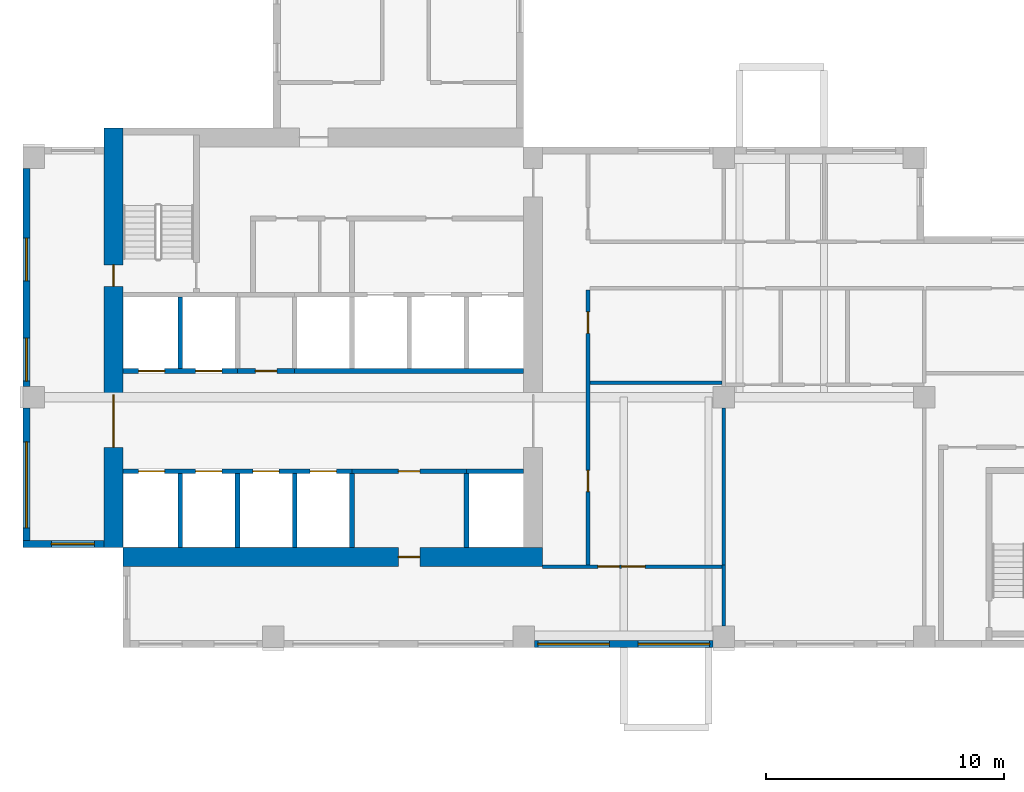
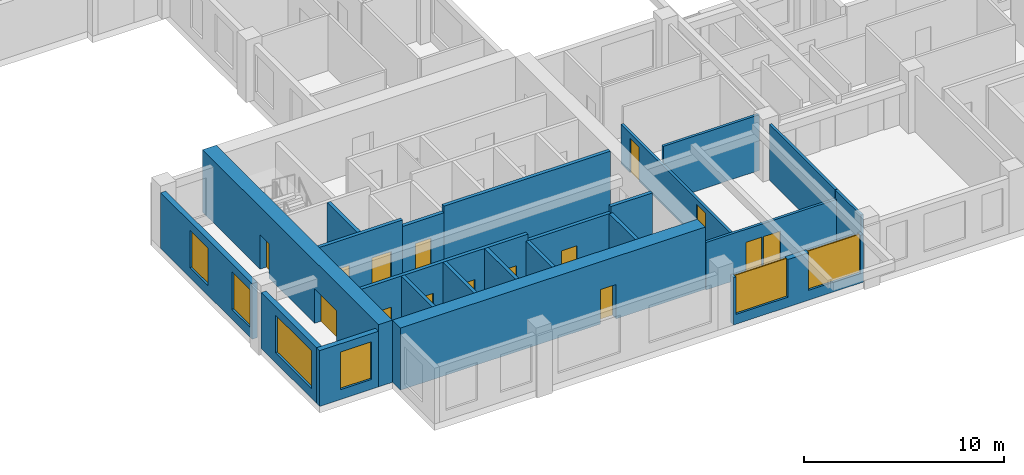
# One storey, part 2 of 12: 23 walls, 15 doors, 6 windows, 21 openings.
"""IFC4 building model written with IfcOpenShell, lengths in metres."""

from ifc_helpers import new_model, si_unit, direction, frame, frame_2d, origin, place, context, subcontext, project, spatial, rectangle, extrude, source, transform, mapped, material, layer, layer_set, type_object, element, fill, save


model = new_model("IFC4")

# Units and contexts
model_context = context("Model", 3, precision=1e-05, world=origin(), true_north=direction((0.0, 1.0)))
body_context = subcontext(model_context, "Body", "Model", "MODEL_VIEW")
ifc_project = project(units=[si_unit("LENGTHUNIT", "METRE"), si_unit("AREAUNIT", "SQUARE_METRE"), si_unit("VOLUMEUNIT", "CUBIC_METRE"), si_unit("PLANEANGLEUNIT", "RADIAN"), si_unit("MASSUNIT", "GRAM", prefix="KILO")], contexts=[model_context])

# Site, building, storey
site_placement = place(None, origin())
site = spatial("IfcSite", under=ifc_project, at=site_placement, CompositionType="ELEMENT")
building_placement = place(site_placement, origin())
building = spatial("IfcBuilding", under=site, at=building_placement, Name="Aurelian Terraces", CompositionType="ELEMENT")
storey_placement = place(building_placement, frame((0.0, 0.0, 189.2)))
storey = spatial("IfcBuildingStorey", under=building, at=storey_placement, Name="L41", CompositionType="ELEMENT", Elevation=189.2)

# Wall, openings, doors
ifc_material_1 = material(Name="Concrete fc' 70 MPa", Category="concrete")
ifc_layer_1 = layer(ifc_material_1, 0.8)
ifc_layer_set_1 = layer_set([ifc_layer_1], Name="CORE WALL 800 FC70")
wall_type_1 = type_object("IfcWallType", Name="CORE WALL 800 FC70", PredefinedType="SHEAR", material=ifc_layer_set_1)
shared_shape_1 = source(origin(), body_context, "Body", "SweptSolid", [
    extrude(rectangle(XDim=17.6, YDim=0.8, at=frame_2d((8.8, 0.0))), origin(), (0.0, 0.0, 1.0), 3.8),
])
wall_1_placement = place(storey_placement, frame((3.8, 4.2, 0.0), z_axis=(0.0, 0.0, 1.0), x_axis=(0.0, 1.0, 0.0)))
wall_1 = element("IfcWall", 1, at=wall_1_placement, inside=storey, type_object=wall_type_1, Name="Core wall W L41", PredefinedType="SHEAR", context=body_context, shape_type="MappedRepresentation", body=[
    mapped(shared_shape_1, transform((0.0, 0.0, 0.0), scale=1.0)),
])
shared_shape_2 = source(origin(), body_context, "Body", "SweptSolid", [
    extrude(rectangle(XDim=2.2, YDim=2.1, at=frame_2d((1.1, 1.05))), frame((0.0, 0.41, 0.0), z_axis=(0.0, -1.0, 0.0), x_axis=(1.0, 0.0, 0.0)), (0.0, 0.0, 1.0), 0.82),
])
opening_1_placement = place(wall_1_placement, frame((4.2, 0.0, 0.0)))
opening_1 = element("IfcOpeningElement", 2, at=opening_1_placement, cuts=wall_1, Name="Opening 64422", PredefinedType="OPENING", context=body_context, shape_type="MappedRepresentation", body=[
    mapped(shared_shape_2, transform((0.0, 0.0, 0.0), scale=1.0)),
])
shared_shape_3 = source(origin(), body_context, "Body", "SweptSolid", [
    extrude(rectangle(XDim=0.9, YDim=2.1, at=frame_2d((0.45, 1.05))), frame((0.0, 0.41, 0.0), z_axis=(0.0, -1.0, 0.0), x_axis=(1.0, 0.0, 0.0)), (0.0, 0.0, 1.0), 0.82),
])
opening_2_placement = place(wall_1_placement, frame((10.95, 0.0, 0.0)))
opening_2 = element("IfcOpeningElement", 3, at=opening_2_placement, cuts=wall_1, Name="Opening 64426", PredefinedType="OPENING", context=body_context, shape_type="MappedRepresentation", body=[
    mapped(shared_shape_3, transform((0.0, 0.0, 0.0), scale=1.0)),
])
ifc_material_2 = material(Name="Steel door leaf", Category="steel")
door_type_1 = type_object("IfcDoorType", Name="Core service door 900x2100 right", OperationType="SINGLE_SWING_RIGHT", PredefinedType="DOOR", material=ifc_material_2)
shared_shape_4 = source(origin(), body_context, "Body", "SweptSolid", [
    extrude(rectangle(XDim=0.9, YDim=2.1, at=frame_2d((0.45, 1.05))), frame((0.0, 0.025, 0.0), z_axis=(0.0, -1.0, 0.0), x_axis=(1.0, 0.0, 0.0)), (0.0, 0.0, 1.0), 0.05),
])
door_1_placement = place(opening_2_placement, origin())
door_1 = element("IfcDoor", 4, at=door_1_placement, inside=storey, type_object=door_type_1, Name="Core door 64426", OperationType="SINGLE_SWING_RIGHT", OverallHeight=2.1, OverallWidth=0.9, PredefinedType="DOOR", context=body_context, shape_type="MappedRepresentation", body=[
    mapped(shared_shape_4, transform((0.0, 0.0, 0.0), scale=1.0)),
])
fill(opening_2, door_1)
door_type_2 = type_object("IfcDoorType", Name="Core double door 2200x2100", OperationType="DOUBLE_DOOR_SINGLE_SWING", PredefinedType="DOOR", material=ifc_material_2)
shared_shape_5 = source(origin(), body_context, "Body", "SweptSolid", [
    extrude(rectangle(XDim=2.2, YDim=2.1, at=frame_2d((1.1, 1.05))), frame((0.0, 0.025, 0.0), z_axis=(0.0, -1.0, 0.0), x_axis=(1.0, 0.0, 0.0)), (0.0, 0.0, 1.0), 0.05),
])
door_2_placement = place(opening_1_placement, origin())
door_2 = element("IfcDoor", 5, at=door_2_placement, inside=storey, type_object=door_type_2, Name="Core door 64422", OperationType="DOUBLE_DOOR_SINGLE_SWING", OverallHeight=2.1, OverallWidth=2.2, PredefinedType="DOOR", context=body_context, shape_type="MappedRepresentation", body=[
    mapped(shared_shape_5, transform((0.0, 0.0, 0.0), scale=1.0)),
])
fill(opening_1, door_2)

# Wall, opening, door
wall_2_placement = place(storey_placement, frame((4.2, 3.8, 0.0), z_axis=(0.0, 0.0, 1.0), x_axis=(1.0, 0.0, 0.0)))
wall_2 = element("IfcWall", 6, at=wall_2_placement, inside=storey, type_object=wall_type_1, Name="Core wall S L41", PredefinedType="SHEAR", context=body_context, shape_type="MappedRepresentation", body=[
    mapped(shared_shape_1, transform((0.0, 0.0, 0.0), scale=1.0)),
])
opening_3_placement = place(wall_2_placement, frame((11.55, 0.0, 0.0)))
opening_3 = element("IfcOpeningElement", 7, at=opening_3_placement, cuts=wall_2, Name="Opening 64425", PredefinedType="OPENING", context=body_context, shape_type="MappedRepresentation", body=[
    mapped(shared_shape_3, transform((0.0, 0.0, 0.0), scale=1.0)),
])
door_type_3 = type_object("IfcDoorType", Name="Core service door 900x2100", OperationType="SINGLE_SWING_LEFT", PredefinedType="DOOR", material=ifc_material_2)
door_3_placement = place(opening_3_placement, origin())
door_3 = element("IfcDoor", 8, at=door_3_placement, inside=storey, type_object=door_type_3, Name="Core door 64425", OperationType="SINGLE_SWING_LEFT", OverallHeight=2.1, OverallWidth=0.9, PredefinedType="DOOR", context=body_context, shape_type="MappedRepresentation", body=[
    mapped(shared_shape_4, transform((0.0, 0.0, 0.0), scale=1.0)),
])
fill(opening_3, door_3)

# Wall, opening, window
ifc_material_3 = material(Name="Terracotta rainscreen cladding", Category="masonry")
ifc_layer_2 = layer(ifc_material_3, 0.3)
ifc_layer_set_2 = layer_set([ifc_layer_2], Name="EW-300")
wall_type_2 = type_object("IfcWallType", Name="EW-300", PredefinedType="STANDARD", material=ifc_layer_set_2)
shared_shape_6 = source(origin(), body_context, "Body", "SweptSolid", [
    extrude(rectangle(XDim=3.4, YDim=0.3, at=frame_2d((1.7, 0.0))), origin(), (0.0, 0.0, 1.0), 3.4),
])
wall_3_placement = place(storey_placement, frame((0.0, 4.35, 0.0), z_axis=(0.0, 0.0, 1.0), x_axis=(1.0, 0.0, 0.0)))
wall_3 = element("IfcWall", 9, at=wall_3_placement, inside=storey, type_object=wall_type_2, Name="External wall L41 F23.37", PredefinedType="STANDARD", context=body_context, shape_type="MappedRepresentation", body=[
    mapped(shared_shape_6, transform((0.0, 0.0, 0.0), scale=1.0)),
])
shared_shape_7 = source(origin(), body_context, "Body", "SweptSolid", [
    extrude(rectangle(XDim=1.8, YDim=2.3, at=frame_2d((0.9, 1.15))), frame((0.0, 0.16, 0.0), z_axis=(0.0, -1.0, 0.0), x_axis=(1.0, 0.0, 0.0)), (0.0, 0.0, 1.0), 0.32),
])
opening_4_placement = place(wall_3_placement, frame((1.2, 0.0, 0.6)))
opening_4 = element("IfcOpeningElement", 10, at=opening_4_placement, cuts=wall_3, Name="Opening W1823", PredefinedType="OPENING", context=body_context, shape_type="MappedRepresentation", body=[
    mapped(shared_shape_7, transform((0.0, 0.0, 0.0), scale=1.0)),
])
ifc_material_4 = material(Name="Clear glazing", Category="glass")
window_type_1 = type_object("IfcWindowType", Name="W-1800x2300", PartitioningType="SINGLE_PANEL", PredefinedType="WINDOW", material=ifc_material_4)
shared_shape_8 = source(origin(), body_context, "Body", "SweptSolid", [
    extrude(rectangle(XDim=1.8, YDim=2.3, at=frame_2d((0.9, 1.15))), frame((0.0, 0.03, 0.0), z_axis=(0.0, -1.0, 0.0), x_axis=(1.0, 0.0, 0.0)), (0.0, 0.0, 1.0), 0.06),
])
window_1_placement = place(opening_4_placement, origin())
window_1 = element("IfcWindow", 11, at=window_1_placement, inside=storey, type_object=window_type_1, Name="Window L41 L41-F23-37-0", OverallHeight=2.3, OverallWidth=1.8, PartitioningType="SINGLE_PANEL", PredefinedType="WINDOW", context=body_context, shape_type="MappedRepresentation", body=[
    mapped(shared_shape_8, transform((0.0, 0.0, 0.0), scale=1.0)),
])
fill(opening_4, window_1)

# Wall, openings, windows
shared_shape_9 = source(origin(), body_context, "Body", "SweptSolid", [
    extrude(rectangle(XDim=9.15, YDim=0.3, at=frame_2d((4.575, 0.0))), origin(), (0.0, 0.0, 1.0), 3.4),
])
wall_4_placement = place(storey_placement, frame((0.15, 20.1, 0.0), z_axis=(0.0, 0.0, 1.0), x_axis=(0.0, -1.0, 0.0)))
wall_4 = element("IfcWall", 12, at=wall_4_placement, inside=storey, type_object=wall_type_2, Name="External wall L41 F22.36", PredefinedType="STANDARD", context=body_context, shape_type="MappedRepresentation", body=[
    mapped(shared_shape_9, transform((0.0, 0.0, 0.0), scale=1.0)),
])
opening_5_placement = place(wall_4_placement, frame((2.925, 0.0, 0.6)))
opening_5 = element("IfcOpeningElement", 13, at=opening_5_placement, cuts=wall_4, Name="Opening W1823", PredefinedType="OPENING", context=body_context, shape_type="MappedRepresentation", body=[
    mapped(shared_shape_7, transform((0.0, 0.0, 0.0), scale=1.0)),
])
opening_6_placement = place(wall_4_placement, frame((7.125, 0.0, 0.6)))
opening_6 = element("IfcOpeningElement", 14, at=opening_6_placement, cuts=wall_4, Name="Opening W1823", PredefinedType="OPENING", context=body_context, shape_type="MappedRepresentation", body=[
    mapped(shared_shape_7, transform((0.0, 0.0, 0.0), scale=1.0)),
])
window_2_placement = place(opening_5_placement, origin())
window_2 = element("IfcWindow", 15, at=window_2_placement, inside=storey, type_object=window_type_1, Name="Window L41 L41-F22-36-1", OverallHeight=2.3, OverallWidth=1.8, PartitioningType="SINGLE_PANEL", PredefinedType="WINDOW", context=body_context, shape_type="MappedRepresentation", body=[
    mapped(shared_shape_8, transform((0.0, 0.0, 0.0), scale=1.0)),
])
fill(opening_5, window_2)
window_3_placement = place(opening_6_placement, origin())
window_3 = element("IfcWindow", 16, at=window_3_placement, inside=storey, type_object=window_type_1, Name="Window L41 L41-F22-36-2", OverallHeight=2.3, OverallWidth=1.8, PartitioningType="SINGLE_PANEL", PredefinedType="WINDOW", context=body_context, shape_type="MappedRepresentation", body=[
    mapped(shared_shape_8, transform((0.0, 0.0, 0.0), scale=1.0)),
])
fill(opening_6, window_3)

# Wall, opening, window
shared_shape_10 = source(origin(), body_context, "Body", "SweptSolid", [
    extrude(rectangle(XDim=5.85, YDim=0.3, at=frame_2d((2.925, 0.0))), origin(), (0.0, 0.0, 1.0), 3.4),
])
wall_5_placement = place(storey_placement, frame((0.15, 10.05, 0.0), z_axis=(0.0, 0.0, 1.0), x_axis=(0.0, -1.0, 0.0)))
wall_5 = element("IfcWall", 17, at=wall_5_placement, inside=storey, type_object=wall_type_2, Name="External wall L41 F22.36", PredefinedType="STANDARD", context=body_context, shape_type="MappedRepresentation", body=[
    mapped(shared_shape_10, transform((0.0, 0.0, 0.0), scale=1.0)),
])
shared_shape_11 = source(origin(), body_context, "Body", "SweptSolid", [
    extrude(rectangle(XDim=3.6, YDim=2.3, at=frame_2d((1.8, 1.15))), frame((0.0, 0.16, 0.0), z_axis=(0.0, -1.0, 0.0), x_axis=(1.0, 0.0, 0.0)), (0.0, 0.0, 1.0), 0.32),
])
opening_7_placement = place(wall_5_placement, frame((1.425, 0.0, 0.6)))
opening_7 = element("IfcOpeningElement", 18, at=opening_7_placement, cuts=wall_5, Name="Opening W3623", PredefinedType="OPENING", context=body_context, shape_type="MappedRepresentation", body=[
    mapped(shared_shape_11, transform((0.0, 0.0, 0.0), scale=1.0)),
])
window_type_2 = type_object("IfcWindowType", Name="W-3600x2300", PartitioningType="SINGLE_PANEL", PredefinedType="WINDOW", material=ifc_material_4)
shared_shape_12 = source(origin(), body_context, "Body", "SweptSolid", [
    extrude(rectangle(XDim=3.6, YDim=2.3, at=frame_2d((1.8, 1.15))), frame((0.0, 0.03, 0.0), z_axis=(0.0, -1.0, 0.0), x_axis=(1.0, 0.0, 0.0)), (0.0, 0.0, 1.0), 0.06),
])
window_4_placement = place(opening_7_placement, origin())
window_4 = element("IfcWindow", 19, at=window_4_placement, inside=storey, type_object=window_type_2, Name="Window L41 L41-F22-36-3", OverallHeight=2.3, OverallWidth=3.6, PartitioningType="SINGLE_PANEL", PredefinedType="WINDOW", context=body_context, shape_type="MappedRepresentation", body=[
    mapped(shared_shape_12, transform((0.0, 0.0, 0.0), scale=1.0)),
])
fill(opening_7, window_4)

# Wall, openings, windows
shared_shape_13 = source(origin(), body_context, "Body", "SweptSolid", [
    extrude(rectangle(XDim=7.5, YDim=0.3, at=frame_2d((3.75, 0.0))), origin(), (0.0, 0.0, 1.0), 2.9),
])
wall_6_placement = place(storey_placement, frame((21.45, 0.15, 0.0), z_axis=(0.0, 0.0, 1.0), x_axis=(1.0, 0.0, 0.0)))
wall_6 = element("IfcWall", 20, at=wall_6_placement, inside=storey, type_object=wall_type_2, Name="External wall L41 F01.3", PredefinedType="STANDARD", context=body_context, shape_type="MappedRepresentation", body=[
    mapped(shared_shape_13, transform((0.0, 0.0, 0.0), scale=1.0)),
])
shared_shape_14 = source(origin(), body_context, "Body", "SweptSolid", [
    extrude(rectangle(XDim=3.0, YDim=2.3, at=frame_2d((1.5, 1.15))), frame((0.0, 0.16, 0.0), z_axis=(0.0, -1.0, 0.0), x_axis=(1.0, 0.0, 0.0)), (0.0, 0.0, 1.0), 0.32),
])
opening_8_placement = place(wall_6_placement, frame((0.15, 0.0, 0.6)))
opening_8 = element("IfcOpeningElement", 21, at=opening_8_placement, cuts=wall_6, Name="Opening W3023", PredefinedType="OPENING", context=body_context, shape_type="MappedRepresentation", body=[
    mapped(shared_shape_14, transform((0.0, 0.0, 0.0), scale=1.0)),
])
opening_9_placement = place(wall_6_placement, frame((4.35, 0.0, 0.6)))
opening_9 = element("IfcOpeningElement", 22, at=opening_9_placement, cuts=wall_6, Name="Opening W3023", PredefinedType="OPENING", context=body_context, shape_type="MappedRepresentation", body=[
    mapped(shared_shape_14, transform((0.0, 0.0, 0.0), scale=1.0)),
])
window_type_3 = type_object("IfcWindowType", Name="W-3000x2300", PartitioningType="SINGLE_PANEL", PredefinedType="WINDOW", material=ifc_material_4)
shared_shape_15 = source(origin(), body_context, "Body", "SweptSolid", [
    extrude(rectangle(XDim=3.0, YDim=2.3, at=frame_2d((1.5, 1.15))), frame((0.0, 0.03, 0.0), z_axis=(0.0, -1.0, 0.0), x_axis=(1.0, 0.0, 0.0)), (0.0, 0.0, 1.0), 0.06),
])
window_5_placement = place(opening_8_placement, origin())
window_5 = element("IfcWindow", 23, at=window_5_placement, inside=storey, type_object=window_type_3, Name="Window L41 L41-F01-03-0", OverallHeight=2.3, OverallWidth=3.0, PartitioningType="SINGLE_PANEL", PredefinedType="WINDOW", context=body_context, shape_type="MappedRepresentation", body=[
    mapped(shared_shape_15, transform((0.0, 0.0, 0.0), scale=1.0)),
])
fill(opening_8, window_5)
window_6_placement = place(opening_9_placement, origin())
window_6 = element("IfcWindow", 24, at=window_6_placement, inside=storey, type_object=window_type_3, Name="Window L41 L41-F01-03-1", OverallHeight=2.3, OverallWidth=3.0, PartitioningType="SINGLE_PANEL", PredefinedType="WINDOW", context=body_context, shape_type="MappedRepresentation", body=[
    mapped(shared_shape_15, transform((0.0, 0.0, 0.0), scale=1.0)),
])
fill(opening_9, window_6)

# Walls
ifc_material_5 = material(Name="Concrete fc' 40 MPa", Category="concrete")
ifc_layer_3 = layer(ifc_material_5, 0.2)
ifc_layer_set_3 = layer_set([ifc_layer_3], Name="Lift shaft wall 200")
wall_type_3 = type_object("IfcWallType", Name="Lift shaft wall 200", PredefinedType="SOLIDWALL", material=ifc_layer_set_3)
shared_shape_16 = source(origin(), body_context, "Body", "SweptSolid", [
    extrude(rectangle(XDim=3.1, YDim=0.2, at=frame_2d((1.55, 0.0))), origin(), (0.0, 0.0, 1.0), 3.8),
])
for number, where, z_axis, x_axis, name in (
    (25, (6.6, 4.2, 0.0), (0.0, 0.0, 1.0), (0.0, 1.0, 0.0), "L41 core wall CD-A1"),
    (26, (9.0, 4.2, 0.0), (0.0, 0.0, 1.0), (0.0, 1.0, 0.0), "L41 core wall CD-A2"),
    (27, (11.4, 4.2, 0.0), (0.0, 0.0, 1.0), (0.0, 1.0, 0.0), "L41 core wall CD-A3"),
):
    element("IfcWall", number, at=place(storey_placement, frame(where, z_axis=z_axis, x_axis=x_axis)), inside=storey, type_object=wall_type_3, Name=name, PredefinedType="SOLIDWALL", context=body_context, shape_type="MappedRepresentation", body=[
        mapped(shared_shape_16, transform((0.0, 0.0, 0.0), scale=1.0)),
    ])
shared_shape_17 = source(origin(), body_context, "Body", "SweptSolid", [
    extrude(rectangle(XDim=3.1, YDim=0.2, at=frame_2d((1.55, 0.0))), origin(), (0.0, 0.0, 1.0), 3.4),
])
for number, where, z_axis, x_axis, name in (
    (28, (13.8, 4.2, 0.0), (0.0, 0.0, 1.0), (0.0, 1.0, 0.0), "L41 core wall CD-A4"),
    (29, (18.6, 4.2, 0.0), (0.0, 0.0, 1.0), (0.0, 1.0, 0.0), "L41 core wall CD-A6"),
):
    element("IfcWall", number, at=place(storey_placement, frame(where, z_axis=z_axis, x_axis=x_axis)), inside=storey, type_object=wall_type_3, Name=name, PredefinedType="SOLIDWALL", context=body_context, shape_type="MappedRepresentation", body=[
        mapped(shared_shape_17, transform((0.0, 0.0, 0.0), scale=1.0)),
    ])
shared_shape_18 = source(origin(), body_context, "Body", "SweptSolid", [
    extrude(rectangle(XDim=3.0, YDim=0.2, at=frame_2d((1.5, 0.0))), origin(), (0.0, 0.0, 1.0), 3.8),
])
wall_7_placement = place(storey_placement, frame((6.6, 11.7, 0.0), z_axis=(0.0, 0.0, 1.0), x_axis=(0.0, 1.0, 0.0)))
element("IfcWall", 30, at=wall_7_placement, inside=storey, type_object=wall_type_3, Name="L41 core wall CD-B1", PredefinedType="SOLIDWALL", context=body_context, shape_type="MappedRepresentation", body=[
    mapped(shared_shape_18, transform((0.0, 0.0, 0.0), scale=1.0)),
])

# Wall, openings, doors
shared_shape_19 = source(origin(), body_context, "Body", "SweptSolid", [
    extrude(rectangle(XDim=9.6, YDim=0.2, at=frame_2d((4.8, 0.0))), origin(), (0.0, 0.0, 1.0), 3.8),
])
wall_8_placement = place(storey_placement, frame((4.2, 7.4, 0.0), z_axis=(0.0, 0.0, 1.0), x_axis=(1.0, 0.0, 0.0)))
wall_8 = element("IfcWall", 31, at=wall_8_placement, inside=storey, type_object=wall_type_3, Name="L41 core wall CF-AF1", PredefinedType="SOLIDWALL", context=body_context, shape_type="MappedRepresentation", body=[
    mapped(shared_shape_19, transform((0.0, 0.0, 0.0), scale=1.0)),
])
shared_shape_20 = source(origin(), body_context, "Body", "SweptSolid", [
    extrude(rectangle(XDim=1.1, YDim=2.1, at=frame_2d((0.55, 1.05))), frame((0.0, 0.11, 0.0), z_axis=(0.0, -1.0, 0.0), x_axis=(1.0, 0.0, 0.0)), (0.0, 0.0, 1.0), 0.22),
])
opening_10_placement = place(wall_8_placement, frame((0.65, 0.0, 0.0)))
opening_10 = element("IfcOpeningElement", 32, at=opening_10_placement, cuts=wall_8, Name="Opening 64400", PredefinedType="OPENING", context=body_context, shape_type="MappedRepresentation", body=[
    mapped(shared_shape_20, transform((0.0, 0.0, 0.0), scale=1.0)),
])
opening_11_placement = place(wall_8_placement, frame((3.05, 0.0, 0.0)))
opening_11 = element("IfcOpeningElement", 33, at=opening_11_placement, cuts=wall_8, Name="Opening 64401", PredefinedType="OPENING", context=body_context, shape_type="MappedRepresentation", body=[
    mapped(shared_shape_20, transform((0.0, 0.0, 0.0), scale=1.0)),
])
opening_12_placement = place(wall_8_placement, frame((5.45, 0.0, 0.0)))
opening_12 = element("IfcOpeningElement", 34, at=opening_12_placement, cuts=wall_8, Name="Opening 64402", PredefinedType="OPENING", context=body_context, shape_type="MappedRepresentation", body=[
    mapped(shared_shape_20, transform((0.0, 0.0, 0.0), scale=1.0)),
])
opening_13_placement = place(wall_8_placement, frame((7.85, 0.0, 0.0)))
opening_13 = element("IfcOpeningElement", 35, at=opening_13_placement, cuts=wall_8, Name="Opening 64403", PredefinedType="OPENING", context=body_context, shape_type="MappedRepresentation", body=[
    mapped(shared_shape_20, transform((0.0, 0.0, 0.0), scale=1.0)),
])
ifc_material_6 = material(Name="Stainless steel", Category="steel")
door_type_4 = type_object("IfcDoorType", Name="Lift landing door 1100x2100", OperationType="SLIDING_TO_LEFT", PredefinedType="DOOR", material=ifc_material_6)
shared_shape_21 = source(origin(), body_context, "Body", "SweptSolid", [
    extrude(rectangle(XDim=1.1, YDim=2.1, at=frame_2d((0.55, 1.05))), frame((0.0, 0.025, 0.0), z_axis=(0.0, -1.0, 0.0), x_axis=(1.0, 0.0, 0.0)), (0.0, 0.0, 1.0), 0.05),
])
door_4_placement = place(opening_10_placement, origin())
door_4 = element("IfcDoor", 36, at=door_4_placement, inside=storey, type_object=door_type_4, Name="Lift landing door LM1 L41", OperationType="SLIDING_TO_LEFT", OverallHeight=2.1, OverallWidth=1.1, PredefinedType="DOOR", context=body_context, shape_type="MappedRepresentation", body=[
    mapped(shared_shape_21, transform((0.0, 0.0, 0.0), scale=1.0)),
])
fill(opening_10, door_4)
door_5_placement = place(opening_11_placement, origin())
door_5 = element("IfcDoor", 37, at=door_5_placement, inside=storey, type_object=door_type_4, Name="Lift landing door LM2 L41", OperationType="SLIDING_TO_LEFT", OverallHeight=2.1, OverallWidth=1.1, PredefinedType="DOOR", context=body_context, shape_type="MappedRepresentation", body=[
    mapped(shared_shape_21, transform((0.0, 0.0, 0.0), scale=1.0)),
])
fill(opening_11, door_5)
door_6_placement = place(opening_12_placement, origin())
door_6 = element("IfcDoor", 38, at=door_6_placement, inside=storey, type_object=door_type_4, Name="Lift landing door LM3 L41", OperationType="SLIDING_TO_LEFT", OverallHeight=2.1, OverallWidth=1.1, PredefinedType="DOOR", context=body_context, shape_type="MappedRepresentation", body=[
    mapped(shared_shape_21, transform((0.0, 0.0, 0.0), scale=1.0)),
])
fill(opening_12, door_6)
door_7_placement = place(opening_13_placement, origin())
door_7 = element("IfcDoor", 39, at=door_7_placement, inside=storey, type_object=door_type_4, Name="Lift landing door LM4 L41", OperationType="SLIDING_TO_LEFT", OverallHeight=2.1, OverallWidth=1.1, PredefinedType="DOOR", context=body_context, shape_type="MappedRepresentation", body=[
    mapped(shared_shape_21, transform((0.0, 0.0, 0.0), scale=1.0)),
])
fill(opening_13, door_7)

# Wall
wall_9_placement = place(storey_placement, frame((11.4, 11.6, 0.0), z_axis=(0.0, 0.0, 1.0), x_axis=(1.0, 0.0, 0.0)))
element("IfcWall", 40, at=wall_9_placement, inside=storey, type_object=wall_type_3, Name="L41 core wall CF-BF3", PredefinedType="SOLIDWALL", context=body_context, shape_type="MappedRepresentation", body=[
    mapped(shared_shape_19, transform((0.0, 0.0, 0.0), scale=1.0)),
])

# Wall, openings, doors
shared_shape_22 = source(origin(), body_context, "Body", "SweptSolid", [
    extrude(rectangle(XDim=4.8, YDim=0.2, at=frame_2d((2.4, 0.0))), origin(), (0.0, 0.0, 1.0), 3.8),
])
wall_10_placement = place(storey_placement, frame((4.2, 11.6, 0.0), z_axis=(0.0, 0.0, 1.0), x_axis=(1.0, 0.0, 0.0)))
wall_10 = element("IfcWall", 41, at=wall_10_placement, inside=storey, type_object=wall_type_3, Name="L41 core wall CF-BF1", PredefinedType="SOLIDWALL", context=body_context, shape_type="MappedRepresentation", body=[
    mapped(shared_shape_22, transform((0.0, 0.0, 0.0), scale=1.0)),
])
opening_14_placement = place(wall_10_placement, frame((0.65, 0.0, 0.0)))
opening_14 = element("IfcOpeningElement", 42, at=opening_14_placement, cuts=wall_10, Name="Opening 64405", PredefinedType="OPENING", context=body_context, shape_type="MappedRepresentation", body=[
    mapped(shared_shape_20, transform((0.0, 0.0, 0.0), scale=1.0)),
])
opening_15_placement = place(wall_10_placement, frame((3.05, 0.0, 0.0)))
opening_15 = element("IfcOpeningElement", 43, at=opening_15_placement, cuts=wall_10, Name="Opening 64406", PredefinedType="OPENING", context=body_context, shape_type="MappedRepresentation", body=[
    mapped(shared_shape_20, transform((0.0, 0.0, 0.0), scale=1.0)),
])
door_8_placement = place(opening_14_placement, origin())
door_8 = element("IfcDoor", 44, at=door_8_placement, inside=storey, type_object=door_type_4, Name="Lift landing door LM5 L41", OperationType="SLIDING_TO_LEFT", OverallHeight=2.1, OverallWidth=1.1, PredefinedType="DOOR", context=body_context, shape_type="MappedRepresentation", body=[
    mapped(shared_shape_21, transform((0.0, 0.0, 0.0), scale=1.0)),
])
fill(opening_14, door_8)
door_9_placement = place(opening_15_placement, origin())
door_9 = element("IfcDoor", 45, at=door_9_placement, inside=storey, type_object=door_type_4, Name="Lift landing door LM6 L41", OperationType="SLIDING_TO_LEFT", OverallHeight=2.1, OverallWidth=1.1, PredefinedType="DOOR", context=body_context, shape_type="MappedRepresentation", body=[
    mapped(shared_shape_21, transform((0.0, 0.0, 0.0), scale=1.0)),
])
fill(opening_15, door_9)

# Wall, opening, door
shared_shape_23 = source(origin(), body_context, "Body", "SweptSolid", [
    extrude(rectangle(XDim=2.4, YDim=0.2, at=frame_2d((1.2, 0.0))), origin(), (0.0, 0.0, 1.0), 3.4),
])
wall_11_placement = place(storey_placement, frame((9.0, 11.6, 0.0), z_axis=(0.0, 0.0, 1.0), x_axis=(1.0, 0.0, 0.0)))
wall_11 = element("IfcWall", 46, at=wall_11_placement, inside=storey, type_object=wall_type_3, Name="L41 core wall CF-BF2", PredefinedType="SOLIDWALL", context=body_context, shape_type="MappedRepresentation", body=[
    mapped(shared_shape_23, transform((0.0, 0.0, 0.0), scale=1.0)),
])
shared_shape_24 = source(origin(), body_context, "Body", "SweptSolid", [
    extrude(rectangle(XDim=0.9, YDim=2.1, at=frame_2d((0.45, 1.05))), frame((0.0, 0.11, 0.0), z_axis=(0.0, -1.0, 0.0), x_axis=(1.0, 0.0, 0.0)), (0.0, 0.0, 1.0), 0.22),
])
opening_16_placement = place(wall_11_placement, frame((0.75, 0.0, 0.0)))
opening_16 = element("IfcOpeningElement", 47, at=opening_16_placement, cuts=wall_11, Name="Opening 64407", PredefinedType="OPENING", context=body_context, shape_type="MappedRepresentation", body=[
    mapped(shared_shape_24, transform((0.0, 0.0, 0.0), scale=1.0)),
])
door_10_placement = place(opening_16_placement, origin())
door_10 = element("IfcDoor", 48, at=door_10_placement, inside=storey, type_object=door_type_1, Name="Room door 64407", OperationType="SINGLE_SWING_RIGHT", OverallHeight=2.1, OverallWidth=0.9, PredefinedType="DOOR", context=body_context, shape_type="MappedRepresentation", body=[
    mapped(shared_shape_4, transform((0.0, 0.0, 0.0), scale=1.0)),
])
fill(opening_16, door_10)

shared_shape_25 = source(origin(), body_context, "Body", "SweptSolid", [
    extrude(rectangle(XDim=4.8, YDim=0.2, at=frame_2d((2.4, 0.0))), origin(), (0.0, 0.0, 1.0), 3.4),
])
wall_12_placement = place(storey_placement, frame((13.8, 7.4, 0.0), z_axis=(0.0, 0.0, 1.0), x_axis=(1.0, 0.0, 0.0)))
wall_12 = element("IfcWall", 49, at=wall_12_placement, inside=storey, type_object=wall_type_3, Name="L41 core wall CF-AF2", PredefinedType="SOLIDWALL", context=body_context, shape_type="MappedRepresentation", body=[
    mapped(shared_shape_25, transform((0.0, 0.0, 0.0), scale=1.0)),
])
opening_17_placement = place(wall_12_placement, frame((1.95, 0.0, 0.0)))
opening_17 = element("IfcOpeningElement", 50, at=opening_17_placement, cuts=wall_12, Name="Opening 64404", PredefinedType="OPENING", context=body_context, shape_type="MappedRepresentation", body=[
    mapped(shared_shape_24, transform((0.0, 0.0, 0.0), scale=1.0)),
])
door_11_placement = place(opening_17_placement, origin())
door_11 = element("IfcDoor", 51, at=door_11_placement, inside=storey, type_object=door_type_3, Name="Room door 64404", OperationType="SINGLE_SWING_LEFT", OverallHeight=2.1, OverallWidth=0.9, PredefinedType="DOOR", context=body_context, shape_type="MappedRepresentation", body=[
    mapped(shared_shape_4, transform((0.0, 0.0, 0.0), scale=1.0)),
])
fill(opening_17, door_11)

# Walls
shared_shape_26 = source(origin(), body_context, "Body", "SweptSolid", [
    extrude(rectangle(XDim=2.4, YDim=0.2, at=frame_2d((1.2, 0.0))), origin(), (0.0, 0.0, 1.0), 3.8),
])
wall_13_placement = place(storey_placement, frame((18.6, 7.4, 0.0), z_axis=(0.0, 0.0, 1.0), x_axis=(1.0, 0.0, 0.0)))
element("IfcWall", 52, at=wall_13_placement, inside=storey, type_object=wall_type_3, Name="L41 core wall CF-AF3", PredefinedType="SOLIDWALL", context=body_context, shape_type="MappedRepresentation", body=[
    mapped(shared_shape_26, transform((0.0, 0.0, 0.0), scale=1.0)),
])
ifc_material_7 = material(Name="Gypsum board on steel studs", Category="steel")
ifc_layer_4 = layer(ifc_material_7, 0.15)
ifc_layer_set_4 = layer_set([ifc_layer_4], Name="Partition 150")
wall_type_4 = type_object("IfcWallType", Name="Partition 150", PredefinedType="PARTITIONING", material=ifc_layer_set_4)
shared_shape_27 = source(origin(), body_context, "Body", "SweptSolid", [
    extrude(rectangle(XDim=5.55, YDim=0.15, at=frame_2d((2.775, 0.0))), origin(), (0.0, 0.0, 1.0), 3.4),
])
wall_14_placement = place(storey_placement, frame((29.325, 11.1, 0.0), z_axis=(0.0, 0.0, 1.0), x_axis=(-1.0, 0.0, 0.0)))
element("IfcWall", 53, at=wall_14_placement, inside=storey, type_object=wall_type_4, Name="Partition", PredefinedType="PARTITIONING", context=body_context, shape_type="MappedRepresentation", body=[
    mapped(shared_shape_27, transform((0.0, 0.0, 0.0), scale=1.0)),
])
shared_shape_28 = source(origin(), body_context, "Body", "SweptSolid", [
    extrude(rectangle(XDim=6.576, YDim=0.15, at=frame_2d((3.288, 0.0))), origin(), (0.0, 0.0, 1.0), 3.4),
])
wall_15_placement = place(storey_placement, frame((29.4, 3.475, 0.0), z_axis=(0.0, 0.0, 1.0), x_axis=(0.0, 1.0, 0.0)))
element("IfcWall", 54, at=wall_15_placement, inside=storey, type_object=wall_type_4, Name="Partition", PredefinedType="PARTITIONING", context=body_context, shape_type="MappedRepresentation", body=[
    mapped(shared_shape_28, transform((0.0, 0.0, 0.0), scale=1.0)),
])
ifc_layer_5 = layer(ifc_material_7, 0.15)
ifc_layer_set_5 = layer_set([ifc_layer_5], Name="Fire partition 150")
wall_type_5 = type_object("IfcWallType", Name="Fire partition 150", PredefinedType="PARTITIONING", material=ifc_layer_set_5)
shared_shape_29 = source(origin(), body_context, "Body", "SweptSolid", [
    extrude(rectangle(XDim=2.556, YDim=0.15, at=frame_2d((1.278, 0.0))), origin(), (0.0, 0.0, 1.0), 3.4),
])
wall_16_placement = place(storey_placement, frame((29.4, 0.899, 0.0), z_axis=(0.0, 0.0, 1.0), x_axis=(0.0, 1.0, 0.0)))
element("IfcWall", 55, at=wall_16_placement, inside=storey, type_object=wall_type_5, Name="Party wall", PredefinedType="PARTITIONING", context=body_context, shape_type="MappedRepresentation", body=[
    mapped(shared_shape_29, transform((0.0, 0.0, 0.0), scale=1.0)),
])

# Wall, openings, doors
shared_shape_30 = source(origin(), body_context, "Body", "SweptSolid", [
    extrude(rectangle(XDim=11.525, YDim=0.15, at=frame_2d((5.7625, 0.0))), origin(), (0.0, 0.0, 1.0), 2.4),
])
wall_17_placement = place(storey_placement, frame((23.7, 15.0, 0.0), z_axis=(0.0, 0.0, 1.0), x_axis=(0.0, -1.0, 0.0)))
wall_17 = element("IfcWall", 56, at=wall_17_placement, inside=storey, type_object=wall_type_4, Name="Partition", PredefinedType="PARTITIONING", context=body_context, shape_type="MappedRepresentation", body=[
    mapped(shared_shape_30, transform((0.0, 0.0, 0.0), scale=1.0)),
])
shared_shape_31 = source(origin(), body_context, "Body", "SweptSolid", [
    extrude(rectangle(XDim=0.9, YDim=2.1, at=frame_2d((0.45, 1.05))), frame((0.0, 0.085, 0.0), z_axis=(0.0, -1.0, 0.0), x_axis=(1.0, 0.0, 0.0)), (0.0, 0.0, 1.0), 0.17),
])
opening_18_placement = place(wall_17_placement, frame((7.5625, 0.0, 0.0)))
opening_18 = element("IfcOpeningElement", 57, at=opening_18_placement, cuts=wall_17, Name="Opening 741001", PredefinedType="OPENING", context=body_context, shape_type="MappedRepresentation", body=[
    mapped(shared_shape_31, transform((0.0, 0.0, 0.0), scale=1.0)),
])
opening_19_placement = place(wall_17_placement, frame((0.925, 0.0, 0.0)))
opening_19 = element("IfcOpeningElement", 58, at=opening_19_placement, cuts=wall_17, Name="Opening 741002", PredefinedType="OPENING", context=body_context, shape_type="MappedRepresentation", body=[
    mapped(shared_shape_31, transform((0.0, 0.0, 0.0), scale=1.0)),
])
ifc_material_8 = material(Name="Timber door leaf", Category="wood")
door_type_5 = type_object("IfcDoorType", Name="Room door 900x2100 left", OperationType="SINGLE_SWING_LEFT", PredefinedType="DOOR", material=ifc_material_8)
door_12_placement = place(opening_18_placement, origin())
door_12 = element("IfcDoor", 59, at=door_12_placement, inside=storey, type_object=door_type_5, Name="Door 741001", OperationType="SINGLE_SWING_LEFT", OverallHeight=2.1, OverallWidth=0.9, PredefinedType="DOOR", context=body_context, shape_type="MappedRepresentation", body=[
    mapped(shared_shape_4, transform((0.0, 0.0, 0.0), scale=1.0)),
])
fill(opening_18, door_12)
door_type_6 = type_object("IfcDoorType", Name="Room door 900x2100 right", OperationType="SINGLE_SWING_RIGHT", PredefinedType="DOOR", material=ifc_material_8)
door_13_placement = place(opening_19_placement, origin())
door_13 = element("IfcDoor", 60, at=door_13_placement, inside=storey, type_object=door_type_6, Name="Door 741002", OperationType="SINGLE_SWING_RIGHT", OverallHeight=2.1, OverallWidth=0.9, PredefinedType="DOOR", context=body_context, shape_type="MappedRepresentation", body=[
    mapped(shared_shape_4, transform((0.0, 0.0, 0.0), scale=1.0)),
])
fill(opening_19, door_13)

shared_shape_32 = source(origin(), body_context, "Body", "SweptSolid", [
    extrude(rectangle(XDim=7.525, YDim=0.15, at=frame_2d((3.7625, 0.0))), origin(), (0.0, 0.0, 1.0), 2.9),
])
wall_18_placement = place(storey_placement, frame((21.8, 3.4, 0.0), z_axis=(0.0, 0.0, 1.0), x_axis=(1.0, 0.0, 0.0)))
wall_18 = element("IfcWall", 61, at=wall_18_placement, inside=storey, type_object=wall_type_4, Name="Partition", PredefinedType="PARTITIONING", context=body_context, shape_type="MappedRepresentation", body=[
    mapped(shared_shape_32, transform((0.0, 0.0, 0.0), scale=1.0)),
])
shared_shape_33 = source(origin(), body_context, "Body", "SweptSolid", [
    extrude(rectangle(XDim=1.0, YDim=2.1, at=frame_2d((0.5, 1.05))), frame((0.0, 0.085, 0.0), z_axis=(0.0, -1.0, 0.0), x_axis=(1.0, 0.0, 0.0)), (0.0, 0.0, 1.0), 0.17),
])
opening_20_placement = place(wall_18_placement, frame((3.3, 0.0, 0.0)))
opening_20 = element("IfcOpeningElement", 62, at=opening_20_placement, cuts=wall_18, Name="Opening 741004", PredefinedType="OPENING", context=body_context, shape_type="MappedRepresentation", body=[
    mapped(shared_shape_33, transform((0.0, 0.0, 0.0), scale=1.0)),
])
opening_21_placement = place(wall_18_placement, frame((2.312, 0.0, 0.0)))
opening_21 = element("IfcOpeningElement", 63, at=opening_21_placement, cuts=wall_18, Name="Opening 741036", PredefinedType="OPENING", context=body_context, shape_type="MappedRepresentation", body=[
    mapped(shared_shape_31, transform((0.0, 0.0, 0.0), scale=1.0)),
])
door_type_7 = type_object("IfcDoorType", Name="Room door 1000x2100 right", OperationType="SINGLE_SWING_RIGHT", PredefinedType="DOOR", material=ifc_material_8)
shared_shape_34 = source(origin(), body_context, "Body", "SweptSolid", [
    extrude(rectangle(XDim=1.0, YDim=2.1, at=frame_2d((0.5, 1.05))), frame((0.0, 0.025, 0.0), z_axis=(0.0, -1.0, 0.0), x_axis=(1.0, 0.0, 0.0)), (0.0, 0.0, 1.0), 0.05),
])
door_14_placement = place(opening_20_placement, origin())
door_14 = element("IfcDoor", 64, at=door_14_placement, inside=storey, type_object=door_type_7, Name="Door 741004", OperationType="SINGLE_SWING_RIGHT", OverallHeight=2.1, OverallWidth=1.0, PredefinedType="DOOR", context=body_context, shape_type="MappedRepresentation", body=[
    mapped(shared_shape_34, transform((0.0, 0.0, 0.0), scale=1.0)),
])
fill(opening_20, door_14)
door_15_placement = place(opening_21_placement, origin())
door_15 = element("IfcDoor", 65, at=door_15_placement, inside=storey, type_object=door_type_5, Name="Door 741036", OperationType="SINGLE_SWING_LEFT", OverallHeight=2.1, OverallWidth=0.9, PredefinedType="DOOR", context=body_context, shape_type="MappedRepresentation", body=[
    mapped(shared_shape_4, transform((0.0, 0.0, 0.0), scale=1.0)),
])
fill(opening_21, door_15)

save(model, "model.ifc")
